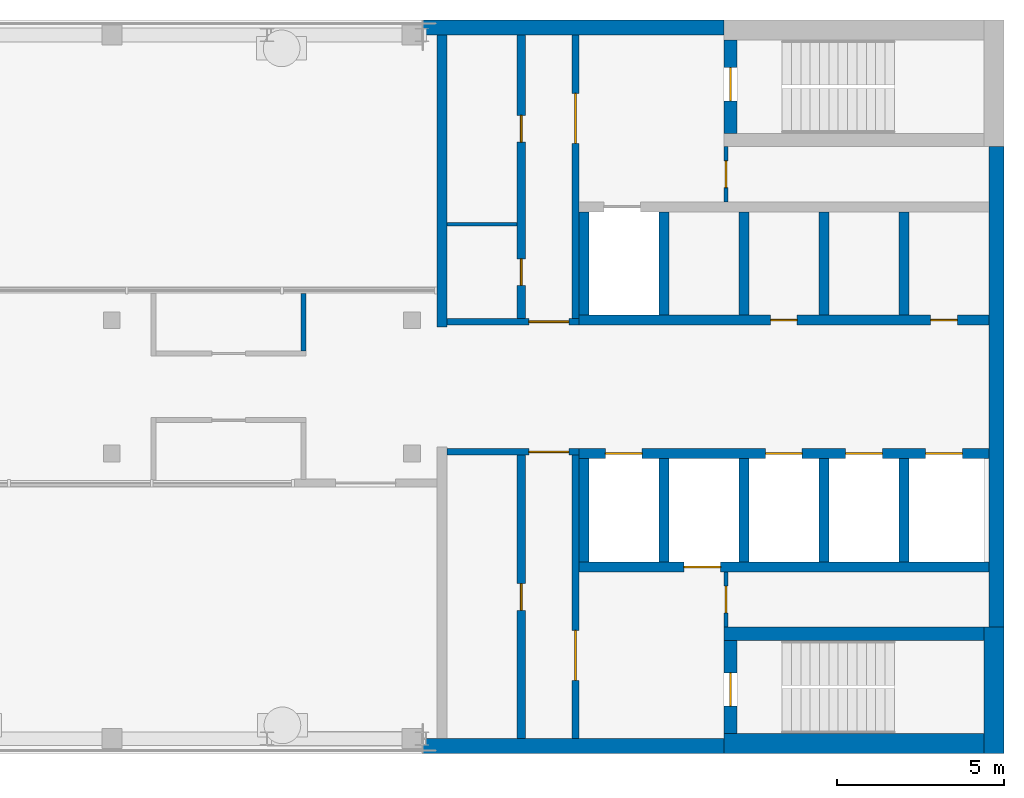
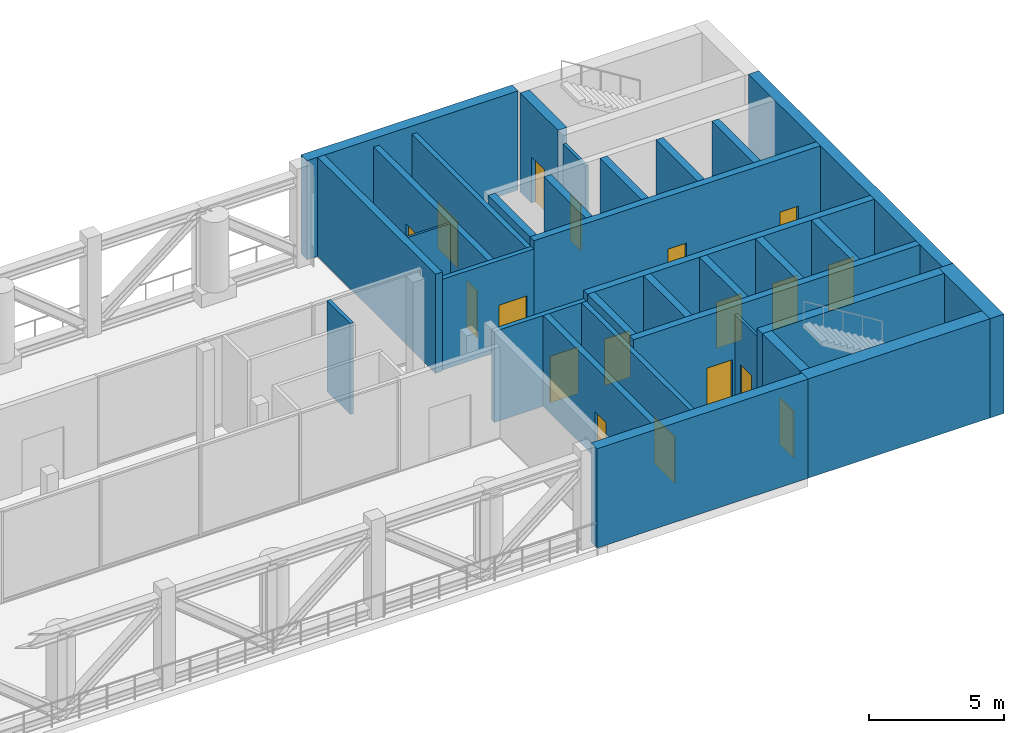
# One storey, part 5 of 9: 32 walls, 18 doors, 18 openings.
"""IFC4 building model written with IfcOpenShell, lengths in metres."""

from ifc_helpers import new_model, si_unit, direction, frame, frame_2d, origin, place, context, subcontext, project, spatial, rectangle, extrude, material, layer, layer_set, type_object, element, fill, save


model = new_model("IFC4")

# Units and contexts
model_context = context("Model", 3, precision=1e-05, world=origin(), true_north=direction((0.0, 1.0)))
body_context = subcontext(model_context, "Body", "Model", "MODEL_VIEW")
ifc_project = project(units=[si_unit("LENGTHUNIT", "METRE"), si_unit("AREAUNIT", "SQUARE_METRE"), si_unit("VOLUMEUNIT", "CUBIC_METRE"), si_unit("PLANEANGLEUNIT", "RADIAN"), si_unit("MASSUNIT", "GRAM", prefix="KILO")], contexts=[model_context])

# Site, building, storey
site_placement = place(None, origin())
site = spatial("IfcSite", under=ifc_project, at=site_placement, CompositionType="ELEMENT")
building_placement = place(site_placement, origin())
building = spatial("IfcBuilding", under=site, at=building_placement, Name="Skarvind Civic Tower", CompositionType="ELEMENT")
storey_placement = place(building_placement, frame((0.0, 0.0, 277.5)))
storey = spatial("IfcBuildingStorey", under=building, at=storey_placement, Name="L66", CompositionType="ELEMENT", Elevation=277.5)

# Wall, opening, door
ifc_material_1 = material(Name="Fire-rated masonry partition", Category="masonry")
ifc_layer_1 = layer(ifc_material_1, 0.199951171875)
ifc_layer_set_1 = layer_set([ifc_layer_1], Name="Core enclosure wall 200")
wall_type_1 = type_object("IfcWallType", Name="Core enclosure wall 200", PredefinedType="PARTITIONING", material=ifc_layer_set_1)
wall_1_placement = place(storey_placement, frame((95.25, 126.050048828125, 0.0), z_axis=(0.0, 0.0, 1.0), x_axis=(-1.0, 0.0, 0.0)))
wall_1 = element("IfcWall", 1, at=wall_1_placement, inside=storey, type_object=wall_type_1, Name="Core wall C1", PredefinedType="PARTITIONING", context=body_context, shape_type="SweptSolid", body=[
    extrude(rectangle(XDim=3.949951171875, YDim=0.199951171875, at=frame_2d((1.97509765625, 0.0))), origin(), (0.0, 0.0, 1.0), 4.125),
])
opening_1_placement = place(wall_1_placement, frame((0.300048828125, 0.0, 0.0)))
opening_1 = element("IfcOpeningElement", 2, at=opening_1_placement, cuts=wall_1, Name="Opening D-L66-C1-07", PredefinedType="OPENING", context=body_context, shape_type="SweptSolid", body=[
    extrude(rectangle(XDim=1.199951171875, YDim=2.10009765625, at=frame_2d((0.60009765625, 1.050048828125))), frame((0.0, 0.10986328125, 0.0), z_axis=(0.0, -1.0, 0.0), x_axis=(1.0, 0.0, 0.0)), (0.0, 0.0, 1.0), 0.219970703125),
])
ifc_material_2 = material(Name="Fire-rated steel door", Category="steel")
door_type_1 = type_object("IfcDoorType", Name="Core lobby door 1200", OperationType="NOTDEFINED", PredefinedType="DOOR", material=ifc_material_2)
door_1_placement = place(opening_1_placement, origin())
door_1 = element("IfcDoor", 3, at=door_1_placement, inside=storey, type_object=door_type_1, Name="Fire door", OperationType="DOUBLE_DOOR_SINGLE_SWING", OverallHeight=2.10009765625, OverallWidth=1.199951171875, PredefinedType="DOOR", context=body_context, shape_type="SweptSolid", body=[
    extrude(rectangle(XDim=1.199951171875, YDim=2.10009765625, at=frame_2d((0.60009765625, 1.050048828125))), frame((0.0, 0.02490234375, 0.0), z_axis=(0.0, -1.0, 0.0), x_axis=(1.0, 0.0, 0.0)), (0.0, 0.0, 1.0), 0.050048828125),
])
fill(opening_1, door_1)

wall_2_placement = place(storey_placement, frame((95.14990234375, 117.449951171875, 0.0), z_axis=(0.0, 0.0, 1.0), x_axis=(0.0, 1.0, 0.0)))
wall_2 = element("IfcWall", 4, at=wall_2_placement, inside=storey, type_object=wall_type_1, Name="Core wall C1", PredefinedType="PARTITIONING", context=body_context, shape_type="SweptSolid", body=[
    extrude(rectangle(XDim=8.5, YDim=0.199951171875, at=frame_2d((4.25, 0.0))), origin(), (0.0, 0.0, 1.0), 4.125),
])
opening_2_placement = place(wall_2_placement, frame((1.75, 0.0, 0.0)))
opening_2 = element("IfcOpeningElement", 5, at=opening_2_placement, cuts=wall_2, Name="Opening D-L66-C1-08", PredefinedType="OPENING", context=body_context, shape_type="SweptSolid", body=[
    extrude(rectangle(XDim=1.5, YDim=2.10009765625, at=frame_2d((0.75, 1.050048828125))), frame((0.0, 0.10986328125, 0.0), z_axis=(0.0, -1.0, 0.0), x_axis=(1.0, 0.0, 0.0)), (0.0, 0.0, 1.0), 0.219970703125),
])
door_type_2 = type_object("IfcDoorType", Name="Fire door 1500", OperationType="NOTDEFINED", PredefinedType="DOOR", material=ifc_material_2)
door_2_placement = place(opening_2_placement, origin())
door_2 = element("IfcDoor", 6, at=door_2_placement, inside=storey, type_object=door_type_2, Name="Fire door", OperationType="DOUBLE_DOOR_SINGLE_SWING", OverallHeight=2.10009765625, OverallWidth=1.5, PredefinedType="DOOR", context=body_context, shape_type="SweptSolid", body=[
    extrude(rectangle(XDim=1.5, YDim=2.10009765625, at=frame_2d((0.75, 1.050048828125))), frame((0.0, 0.02490234375, 0.0), z_axis=(0.0, -1.0, 0.0), x_axis=(1.0, 0.0, 0.0)), (0.0, 0.0, 1.0), 0.050048828125),
])
fill(opening_2, door_2)

wall_3_placement = place(storey_placement, frame((91.300048828125, 129.949951171875, 0.0), z_axis=(0.0, 0.0, 1.0), x_axis=(1.0, 0.0, 0.0)))
wall_3 = element("IfcWall", 7, at=wall_3_placement, inside=storey, type_object=wall_type_1, Name="Core wall C1", PredefinedType="PARTITIONING", context=body_context, shape_type="SweptSolid", body=[
    extrude(rectangle(XDim=3.949951171875, YDim=0.199951171875, at=frame_2d((1.97509765625, 0.0))), origin(), (0.0, 0.0, 1.0), 4.125),
])
opening_3_placement = place(wall_3_placement, frame((2.449951171875, 0.0, 0.0)))
opening_3 = element("IfcOpeningElement", 8, at=opening_3_placement, cuts=wall_3, Name="Opening D-L66-C1-12", PredefinedType="OPENING", context=body_context, shape_type="SweptSolid", body=[
    extrude(rectangle(XDim=1.199951171875, YDim=2.10009765625, at=frame_2d((0.60009765625, 1.050048828125))), frame((0.0, 0.10986328125, 0.0), z_axis=(0.0, -1.0, 0.0), x_axis=(1.0, 0.0, 0.0)), (0.0, 0.0, 1.0), 0.219970703125),
])
door_3_placement = place(opening_3_placement, origin())
door_3 = element("IfcDoor", 9, at=door_3_placement, inside=storey, type_object=door_type_1, Name="Fire door", OperationType="DOUBLE_DOOR_SINGLE_SWING", OverallHeight=2.10009765625, OverallWidth=1.199951171875, PredefinedType="DOOR", context=body_context, shape_type="SweptSolid", body=[
    extrude(rectangle(XDim=1.199951171875, YDim=2.10009765625, at=frame_2d((0.60009765625, 1.050048828125))), frame((0.0, 0.02490234375, 0.0), z_axis=(0.0, -1.0, 0.0), x_axis=(1.0, 0.0, 0.0)), (0.0, 0.0, 1.0), 0.050048828125),
])
fill(opening_3, door_3)

wall_4_placement = place(storey_placement, frame((95.14990234375, 130.050048828125, 0.0), z_axis=(0.0, 0.0, 1.0), x_axis=(0.0, 1.0, 0.0)))
wall_4 = element("IfcWall", 10, at=wall_4_placement, inside=storey, type_object=wall_type_1, Name="Core wall C1", PredefinedType="PARTITIONING", context=body_context, shape_type="SweptSolid", body=[
    extrude(rectangle(XDim=8.5, YDim=0.199951171875, at=frame_2d((4.25, 0.0))), origin(), (0.0, 0.0, 1.0), 4.125),
])
opening_4_placement = place(wall_4_placement, frame((5.25, 0.0, 0.0)))
opening_4 = element("IfcOpeningElement", 11, at=opening_4_placement, cuts=wall_4, Name="Opening D-L66-C1-13", PredefinedType="OPENING", context=body_context, shape_type="SweptSolid", body=[
    extrude(rectangle(XDim=1.5, YDim=2.10009765625, at=frame_2d((0.75, 1.050048828125))), frame((0.0, 0.10986328125, 0.0), z_axis=(0.0, -1.0, 0.0), x_axis=(1.0, 0.0, 0.0)), (0.0, 0.0, 1.0), 0.219970703125),
])
door_4_placement = place(opening_4_placement, origin())
door_4 = element("IfcDoor", 12, at=door_4_placement, inside=storey, type_object=door_type_2, Name="Fire door", OperationType="DOUBLE_DOOR_SINGLE_SWING", OverallHeight=2.10009765625, OverallWidth=1.5, PredefinedType="DOOR", context=body_context, shape_type="SweptSolid", body=[
    extrude(rectangle(XDim=1.5, YDim=2.10009765625, at=frame_2d((0.75, 1.050048828125))), frame((0.0, 0.02490234375, 0.0), z_axis=(0.0, -1.0, 0.0), x_axis=(1.0, 0.0, 0.0)), (0.0, 0.0, 1.0), 0.050048828125),
])
fill(opening_4, door_4)

# Wall
ifc_material_3 = material(Name="Fire-rated plasterboard partition")
ifc_layer_2 = layer(ifc_material_3, 0.10009765625)
ifc_layer_set_2 = layer_set([ifc_layer_2], Name="Core partition wall 100")
wall_type_2 = type_object("IfcWallType", Name="Core partition wall 100", PredefinedType="PARTITIONING", material=ifc_layer_set_2)
wall_5_placement = place(storey_placement, frame((91.300048828125, 132.8798828125, 0.0), z_axis=(0.0, 0.0, 1.0), x_axis=(1.0, 0.0, 0.0)))
element("IfcWall", 13, at=wall_5_placement, inside=storey, type_object=wall_type_2, Name="Core wall C1", PredefinedType="PARTITIONING", context=body_context, shape_type="SweptSolid", body=[
    extrude(rectangle(XDim=2.099853515625, YDim=0.10009765625, at=frame_2d((1.0498046875, 0.0))), origin(), (0.0, 0.0, 1.0), 4.125),
])

# Wall, openings, doors
ifc_material_4 = material(Name="Concrete C60", Category="concrete")
ifc_layer_3 = layer(ifc_material_4, 0.300048828125)
ifc_layer_set_3 = layer_set([ifc_layer_3], Name="Core wall 300 C60")
wall_type_3 = type_object("IfcWallType", Name="Core wall 300 C60", PredefinedType="SHEAR", material=ifc_layer_set_3)
wall_6_placement = place(storey_placement, frame((107.550048828125, 130.0, 0.0), z_axis=(0.0, 0.0, 1.0), x_axis=(-1.0, 0.0, 0.0)))
wall_6 = element("IfcWall", 14, at=wall_6_placement, inside=storey, type_object=wall_type_3, Name="Core wall C1 south lift row front L66", PredefinedType="SHEAR", context=body_context, shape_type="SweptSolid", body=[
    extrude(rectangle(XDim=12.300048828125, YDim=0.300048828125, at=frame_2d((6.14990234375, 0.0))), origin(), (0.0, 0.0, 1.0), 4.5),
])
opening_5_placement = place(wall_6_placement, frame((0.949951171875, 0.0, 0.0)))
opening_5 = element("IfcOpeningElement", 15, at=opening_5_placement, cuts=wall_6, Name="Opening D-L66-C1-05", PredefinedType="OPENING", context=body_context, shape_type="SweptSolid", body=[
    extrude(rectangle(XDim=0.800048828125, YDim=2.10009765625, at=frame_2d((0.39990234375, 1.050048828125))), frame((0.0, 0.159912109375, 0.0), z_axis=(0.0, -1.0, 0.0), x_axis=(1.0, 0.0, 0.0)), (0.0, 0.0, 1.0), 0.320068359375),
])
opening_6_placement = place(wall_6_placement, frame((5.75, 0.0, 0.0)))
opening_6 = element("IfcOpeningElement", 16, at=opening_6_placement, cuts=wall_6, Name="Opening D-L66-C1-06", PredefinedType="OPENING", context=body_context, shape_type="SweptSolid", body=[
    extrude(rectangle(XDim=0.800048828125, YDim=2.10009765625, at=frame_2d((0.39990234375, 1.050048828125))), frame((0.0, 0.159912109375, 0.0), z_axis=(0.0, -1.0, 0.0), x_axis=(1.0, 0.0, 0.0)), (0.0, 0.0, 1.0), 0.320068359375),
])
door_type_3 = type_object("IfcDoorType", Name="Core riser door 800", OperationType="NOTDEFINED", PredefinedType="DOOR", material=ifc_material_2)
door_5_placement = place(opening_5_placement, origin())
door_5 = element("IfcDoor", 17, at=door_5_placement, inside=storey, type_object=door_type_3, Name="Riser door", OperationType="SINGLE_SWING_LEFT", OverallHeight=2.10009765625, OverallWidth=0.800048828125, PredefinedType="DOOR", context=body_context, shape_type="SweptSolid", body=[
    extrude(rectangle(XDim=0.800048828125, YDim=2.10009765625, at=frame_2d((0.39990234375, 1.050048828125))), frame((0.0, 0.02490234375, 0.0), z_axis=(0.0, -1.0, 0.0), x_axis=(1.0, 0.0, 0.0)), (0.0, 0.0, 1.0), 0.050048828125),
])
fill(opening_5, door_5)
door_6_placement = place(opening_6_placement, origin())
door_6 = element("IfcDoor", 18, at=door_6_placement, inside=storey, type_object=door_type_3, Name="Riser door", OperationType="SINGLE_SWING_RIGHT", OverallHeight=2.10009765625, OverallWidth=0.800048828125, PredefinedType="DOOR", context=body_context, shape_type="SweptSolid", body=[
    extrude(rectangle(XDim=0.800048828125, YDim=2.10009765625, at=frame_2d((0.39990234375, 1.050048828125))), frame((0.0, 0.02490234375, 0.0), z_axis=(0.0, -1.0, 0.0), x_axis=(1.0, 0.0, 0.0)), (0.0, 0.0, 1.0), 0.050048828125),
])
fill(opening_6, door_6)

# Walls
for number, where, z_axis, x_axis, name in (
    (19, (105.0, 133.25, 0.0), (0.0, 0.0, 1.0), (0.0, -1.0, 0.0), "Core wall C1 south lift row division 1 L66"),
    (20, (102.60009765625, 133.25, 0.0), (0.0, 0.0, 1.0), (0.0, -1.0, 0.0), "Core wall C1 south lift row division 2 L66"),
    (21, (100.199951171875, 133.25, 0.0), (0.0, 0.0, 1.0), (0.0, -1.0, 0.0), "Core wall C1 south lift row division 3 L66"),
    (22, (97.800048828125, 133.25, 0.0), (0.0, 0.0, 1.0), (0.0, -1.0, 0.0), "Core wall C1 south lift row division 4 L66"),
    (23, (95.39990234375, 133.25, 0.0), (0.0, 0.0, 1.0), (0.0, -1.0, 0.0), "Core wall C1 south lift row division 5 L66"),
):
    element("IfcWall", number, at=place(storey_placement, frame(where, z_axis=z_axis, x_axis=x_axis)), inside=storey, type_object=wall_type_3, Name=name, PredefinedType="SHEAR", context=body_context, shape_type="SweptSolid", body=[
        extrude(rectangle(XDim=3.10009765625, YDim=0.300048828125, at=frame_2d((1.550048828125, 0.0))), origin(), (0.0, 0.0, 1.0), 4.5),
    ])

# Wall, openings, doors
wall_7_placement = place(storey_placement, frame((107.550048828125, 126.0, 0.0), z_axis=(0.0, 0.0, 1.0), x_axis=(-1.0, 0.0, 0.0)))
wall_7 = element("IfcWall", 24, at=wall_7_placement, inside=storey, type_object=wall_type_3, Name="Core wall C1 north lift row front L66", PredefinedType="SHEAR", context=body_context, shape_type="SweptSolid", body=[
    extrude(rectangle(XDim=12.300048828125, YDim=0.300048828125, at=frame_2d((6.14990234375, 0.0))), origin(), (0.0, 0.0, 1.0), 4.5),
])
opening_7_placement = place(wall_7_placement, frame((0.800048828125, 0.0, 0.0)))
opening_7 = element("IfcOpeningElement", 25, at=opening_7_placement, cuts=wall_7, Name="Opening LD68101", PredefinedType="OPENING", context=body_context, shape_type="SweptSolid", body=[
    extrude(rectangle(XDim=1.10009765625, YDim=2.10009765625, at=frame_2d((0.550048828125, 1.050048828125))), frame((0.0, 0.159912109375, 0.0), z_axis=(0.0, -1.0, 0.0), x_axis=(1.0, 0.0, 0.0)), (0.0, 0.0, 1.0), 0.320068359375),
])
opening_8_placement = place(wall_7_placement, frame((3.199951171875, 0.0, 0.0)))
opening_8 = element("IfcOpeningElement", 26, at=opening_8_placement, cuts=wall_7, Name="Opening LD68102", PredefinedType="OPENING", context=body_context, shape_type="SweptSolid", body=[
    extrude(rectangle(XDim=1.10009765625, YDim=2.10009765625, at=frame_2d((0.550048828125, 1.050048828125))), frame((0.0, 0.159912109375, 0.0), z_axis=(0.0, -1.0, 0.0), x_axis=(1.0, 0.0, 0.0)), (0.0, 0.0, 1.0), 0.320068359375),
])
opening_9_placement = place(wall_7_placement, frame((5.60009765625, 0.0, 0.0)))
opening_9 = element("IfcOpeningElement", 27, at=opening_9_placement, cuts=wall_7, Name="Opening LD68103", PredefinedType="OPENING", context=body_context, shape_type="SweptSolid", body=[
    extrude(rectangle(XDim=1.10009765625, YDim=2.10009765625, at=frame_2d((0.550048828125, 1.050048828125))), frame((0.0, 0.159912109375, 0.0), z_axis=(0.0, -1.0, 0.0), x_axis=(1.0, 0.0, 0.0)), (0.0, 0.0, 1.0), 0.320068359375),
])
opening_10_placement = place(wall_7_placement, frame((10.39990234375, 0.0, 0.0)))
opening_10 = element("IfcOpeningElement", 28, at=opening_10_placement, cuts=wall_7, Name="Opening LD68105", PredefinedType="OPENING", context=body_context, shape_type="SweptSolid", body=[
    extrude(rectangle(XDim=1.10009765625, YDim=2.10009765625, at=frame_2d((0.550048828125, 1.050048828125))), frame((0.0, 0.159912109375, 0.0), z_axis=(0.0, -1.0, 0.0), x_axis=(1.0, 0.0, 0.0)), (0.0, 0.0, 1.0), 0.320068359375),
])
ifc_material_5 = material(Name="Stainless steel landing door", Category="steel")
door_type_4 = type_object("IfcDoorType", Name="Lift landing door 1100", OperationType="DOUBLE_DOOR_SLIDING", PredefinedType="DOOR", material=ifc_material_5)
door_7_placement = place(opening_7_placement, origin())
door_7 = element("IfcDoor", 29, at=door_7_placement, inside=storey, type_object=door_type_4, Name="Lift landing door", OperationType="DOUBLE_DOOR_SLIDING", OverallHeight=2.10009765625, OverallWidth=1.10009765625, PredefinedType="DOOR", context=body_context, shape_type="SweptSolid", body=[
    extrude(rectangle(XDim=1.10009765625, YDim=2.10009765625, at=frame_2d((0.550048828125, 1.050048828125))), frame((0.0, 0.02490234375, 0.0), z_axis=(0.0, -1.0, 0.0), x_axis=(1.0, 0.0, 0.0)), (0.0, 0.0, 1.0), 0.050048828125),
])
fill(opening_7, door_7)
door_8_placement = place(opening_8_placement, origin())
door_8 = element("IfcDoor", 30, at=door_8_placement, inside=storey, type_object=door_type_4, Name="Lift landing door", OperationType="DOUBLE_DOOR_SLIDING", OverallHeight=2.10009765625, OverallWidth=1.10009765625, PredefinedType="DOOR", context=body_context, shape_type="SweptSolid", body=[
    extrude(rectangle(XDim=1.10009765625, YDim=2.10009765625, at=frame_2d((0.550048828125, 1.050048828125))), frame((0.0, 0.02490234375, 0.0), z_axis=(0.0, -1.0, 0.0), x_axis=(1.0, 0.0, 0.0)), (0.0, 0.0, 1.0), 0.050048828125),
])
fill(opening_8, door_8)
door_9_placement = place(opening_9_placement, origin())
door_9 = element("IfcDoor", 31, at=door_9_placement, inside=storey, type_object=door_type_4, Name="Lift landing door", OperationType="DOUBLE_DOOR_SLIDING", OverallHeight=2.10009765625, OverallWidth=1.10009765625, PredefinedType="DOOR", context=body_context, shape_type="SweptSolid", body=[
    extrude(rectangle(XDim=1.10009765625, YDim=2.10009765625, at=frame_2d((0.550048828125, 1.050048828125))), frame((0.0, 0.02490234375, 0.0), z_axis=(0.0, -1.0, 0.0), x_axis=(1.0, 0.0, 0.0)), (0.0, 0.0, 1.0), 0.050048828125),
])
fill(opening_9, door_9)
door_10_placement = place(opening_10_placement, origin())
door_10 = element("IfcDoor", 32, at=door_10_placement, inside=storey, type_object=door_type_4, Name="Lift landing door", OperationType="DOUBLE_DOOR_SLIDING", OverallHeight=2.10009765625, OverallWidth=1.10009765625, PredefinedType="DOOR", context=body_context, shape_type="SweptSolid", body=[
    extrude(rectangle(XDim=1.10009765625, YDim=2.10009765625, at=frame_2d((0.550048828125, 1.050048828125))), frame((0.0, 0.02490234375, 0.0), z_axis=(0.0, -1.0, 0.0), x_axis=(1.0, 0.0, 0.0)), (0.0, 0.0, 1.0), 0.050048828125),
])
fill(opening_10, door_10)

# Wall, opening, door
wall_8_placement = place(storey_placement, frame((107.550048828125, 122.60009765625, 0.0), z_axis=(0.0, 0.0, 1.0), x_axis=(-1.0, 0.0, 0.0)))
wall_8 = element("IfcWall", 33, at=wall_8_placement, inside=storey, type_object=wall_type_3, Name="Core wall C1 north lift row back L66", PredefinedType="SHEAR", context=body_context, shape_type="SweptSolid", body=[
    extrude(rectangle(XDim=12.300048828125, YDim=0.300048828125, at=frame_2d((6.14990234375, 0.0))), origin(), (0.0, 0.0, 1.0), 4.5),
])
opening_11_placement = place(wall_8_placement, frame((8.050048828125, 0.0, 0.0)))
opening_11 = element("IfcOpeningElement", 34, at=opening_11_placement, cuts=wall_8, Name="Opening LD68104", PredefinedType="OPENING", context=body_context, shape_type="SweptSolid", body=[
    extrude(rectangle(XDim=1.10009765625, YDim=2.10009765625, at=frame_2d((0.550048828125, 1.050048828125))), frame((0.0, 0.159912109375, 0.0), z_axis=(0.0, -1.0, 0.0), x_axis=(1.0, 0.0, 0.0)), (0.0, 0.0, 1.0), 0.320068359375),
])
door_11_placement = place(opening_11_placement, origin())
door_11 = element("IfcDoor", 35, at=door_11_placement, inside=storey, type_object=door_type_4, Name="Lift landing door", OperationType="DOUBLE_DOOR_SLIDING", OverallHeight=2.10009765625, OverallWidth=1.10009765625, PredefinedType="DOOR", context=body_context, shape_type="SweptSolid", body=[
    extrude(rectangle(XDim=1.10009765625, YDim=2.10009765625, at=frame_2d((0.550048828125, 1.050048828125))), frame((0.0, 0.02490234375, 0.0), z_axis=(0.0, -1.0, 0.0), x_axis=(1.0, 0.0, 0.0)), (0.0, 0.0, 1.0), 0.050048828125),
])
fill(opening_11, door_11)

# Walls
for number, where, z_axis, x_axis, name in (
    (36, (105.0, 125.85009765625, 0.0), (0.0, 0.0, 1.0), (0.0, -1.0, 0.0), "Core wall C1 north lift row division 1 L66"),
    (37, (102.60009765625, 125.85009765625, 0.0), (0.0, 0.0, 1.0), (0.0, -1.0, 0.0), "Core wall C1 north lift row division 2 L66"),
    (38, (100.199951171875, 125.85009765625, 0.0), (0.0, 0.0, 1.0), (0.0, -1.0, 0.0), "Core wall C1 north lift row division 3 L66"),
    (39, (97.800048828125, 125.85009765625, 0.0), (0.0, 0.0, 1.0), (0.0, -1.0, 0.0), "Core wall C1 north lift row division 4 L66"),
    (40, (95.39990234375, 125.85009765625, 0.0), (0.0, 0.0, 1.0), (0.0, -1.0, 0.0), "Core wall C1 north lift row division 5 L66"),
):
    element("IfcWall", number, at=place(storey_placement, frame(where, z_axis=z_axis, x_axis=x_axis)), inside=storey, type_object=wall_type_3, Name=name, PredefinedType="SHEAR", context=body_context, shape_type="SweptSolid", body=[
        extrude(rectangle(XDim=3.10009765625, YDim=0.300048828125, at=frame_2d((1.550048828125, 0.0))), origin(), (0.0, 0.0, 1.0), 4.5),
    ])
wall_9_placement = place(storey_placement, frame((91.14990234375, 138.550048828125, 0.0), z_axis=(0.0, 0.0, 1.0), x_axis=(0.0, -1.0, 0.0)))
element("IfcWall", 41, at=wall_9_placement, inside=storey, type_object=wall_type_3, Name="Core wall C1 south inner face L66", PredefinedType="SHEAR", context=body_context, shape_type="SweptSolid", body=[
    extrude(rectangle(XDim=8.75, YDim=0.300048828125, at=frame_2d((4.375, 0.0))), origin(), (0.0, 0.0, 1.0), 4.5),
])

# Wall, opening, door
ifc_layer_4 = layer(ifc_material_4, 0.39990234375)
ifc_layer_set_4 = layer_set([ifc_layer_4], Name="Core wall 400 C60")
wall_type_4 = type_object("IfcWallType", Name="Core wall 400 C60", PredefinedType="SHEAR", material=ifc_layer_set_4)
wall_10_placement = place(storey_placement, frame((99.800048828125, 138.39990234375, 0.0), z_axis=(0.0, 0.0, 1.0), x_axis=(0.0, -1.0, 0.0)))
wall_10 = element("IfcWall", 42, at=wall_10_placement, inside=storey, type_object=wall_type_4, Name="Core wall C1 south stair end L66", PredefinedType="SHEAR", context=body_context, shape_type="SweptSolid", body=[
    extrude(rectangle(XDim=2.7998046875, YDim=0.39990234375, at=frame_2d((1.39990234375, 0.0))), origin(), (0.0, 0.0, 1.0), 4.5),
])
opening_12_placement = place(wall_10_placement, frame((0.824951171875, 0.0, 0.0)))
opening_12 = element("IfcOpeningElement", 43, at=opening_12_placement, cuts=wall_10, Name="Opening D-L66-C1-14", PredefinedType="OPENING", context=body_context, shape_type="SweptSolid", body=[
    extrude(rectangle(XDim=1.0, YDim=2.10009765625, at=frame_2d((0.5, 1.050048828125))), frame((0.0, 0.2099609375, 0.0), z_axis=(0.0, -1.0, 0.0), x_axis=(1.0, 0.0, 0.0)), (0.0, 0.0, 1.0), 0.419921875),
])
door_type_5 = type_object("IfcDoorType", Name="Fire door 1000", OperationType="NOTDEFINED", PredefinedType="DOOR", material=ifc_material_2)
door_12_placement = place(opening_12_placement, origin())
door_12 = element("IfcDoor", 44, at=door_12_placement, inside=storey, type_object=door_type_5, Name="Fire door", OperationType="SINGLE_SWING_RIGHT", OverallHeight=2.10009765625, OverallWidth=1.0, PredefinedType="DOOR", context=body_context, shape_type="SweptSolid", body=[
    extrude(rectangle(XDim=1.0, YDim=2.10009765625, at=frame_2d((0.5, 1.050048828125))), frame((0.0, 0.02490234375, 0.0), z_axis=(0.0, -1.0, 0.0), x_axis=(1.0, 0.0, 0.0)), (0.0, 0.0, 1.0), 0.050048828125),
])
fill(opening_12, door_12)

# Wall
wall_11_placement = place(storey_placement, frame((107.39990234375, 120.60009765625, 0.0), z_axis=(0.0, 0.0, 1.0), x_axis=(-1.0, 0.0, 0.0)))
element("IfcWall", 45, at=wall_11_placement, inside=storey, type_object=wall_type_4, Name="Core wall C1 north stair inner L66", PredefinedType="SHEAR", context=body_context, shape_type="SweptSolid", body=[
    extrude(rectangle(XDim=7.7998046875, YDim=0.39990234375, at=frame_2d((3.89990234375, 0.0))), origin(), (0.0, 0.0, 1.0), 4.5),
])

# Wall, opening, door
wall_12_placement = place(storey_placement, frame((99.800048828125, 120.39990234375, 0.0), z_axis=(0.0, 0.0, 1.0), x_axis=(0.0, -1.0, 0.0)))
wall_12 = element("IfcWall", 46, at=wall_12_placement, inside=storey, type_object=wall_type_4, Name="Core wall C1 north stair end L66", PredefinedType="SHEAR", context=body_context, shape_type="SweptSolid", body=[
    extrude(rectangle(XDim=2.7998046875, YDim=0.39990234375, at=frame_2d((1.39990234375, 0.0))), origin(), (0.0, 0.0, 1.0), 4.5),
])
opening_13_placement = place(wall_12_placement, frame((0.97509765625, 0.0, 0.0)))
opening_13 = element("IfcOpeningElement", 47, at=opening_13_placement, cuts=wall_12, Name="Opening D-L66-C1-09", PredefinedType="OPENING", context=body_context, shape_type="SweptSolid", body=[
    extrude(rectangle(XDim=1.0, YDim=2.10009765625, at=frame_2d((0.5, 1.050048828125))), frame((0.0, 0.2099609375, 0.0), z_axis=(0.0, -1.0, 0.0), x_axis=(1.0, 0.0, 0.0)), (0.0, 0.0, 1.0), 0.419921875),
])
door_13_placement = place(opening_13_placement, origin())
door_13 = element("IfcDoor", 48, at=door_13_placement, inside=storey, type_object=door_type_5, Name="Fire door", OperationType="SINGLE_SWING_LEFT", OverallHeight=2.10009765625, OverallWidth=1.0, PredefinedType="DOOR", context=body_context, shape_type="SweptSolid", body=[
    extrude(rectangle(XDim=1.0, YDim=2.10009765625, at=frame_2d((0.5, 1.050048828125))), frame((0.0, 0.02490234375, 0.0), z_axis=(0.0, -1.0, 0.0), x_axis=(1.0, 0.0, 0.0)), (0.0, 0.0, 1.0), 0.050048828125),
])
fill(opening_13, door_13)

# Walls
ifc_layer_5 = layer(ifc_material_4, 0.449951171875)
ifc_layer_set_5 = layer_set([ifc_layer_5], Name="Core wall 450 C60")
wall_type_5 = type_object("IfcWallType", Name="Core wall 450 C60", PredefinedType="SHEAR", material=ifc_layer_set_5)
wall_13_placement = place(storey_placement, frame((107.77490234375, 135.199951171875, 0.0), z_axis=(0.0, 0.0, 1.0), x_axis=(0.0, -1.0, 0.0)))
element("IfcWall", 49, at=wall_13_placement, inside=storey, type_object=wall_type_5, Name="Core wall C1 tip between the stairs L66", PredefinedType="SHEAR", context=body_context, shape_type="SweptSolid", body=[
    extrude(rectangle(XDim=14.39990234375, YDim=0.449951171875, at=frame_2d((7.199951171875, 0.0))), origin(), (0.0, 0.0, 1.0), 4.5),
])
for number, where, z_axis, x_axis, name in (
    (50, (99.60009765625, 138.77490234375, 0.0), (0.0, 0.0, 1.0), (-1.0, 0.0, 0.0), "Core wall C1 south side L66"),
    (51, (99.60009765625, 117.22509765625, 0.0), (0.0, 0.0, 1.0), (-1.0, 0.0, 0.0), "Core wall C1 north side L66"),
):
    element("IfcWall", number, at=place(storey_placement, frame(where, z_axis=z_axis, x_axis=x_axis)), inside=storey, type_object=wall_type_5, Name=name, PredefinedType="SHEAR", context=body_context, shape_type="SweptSolid", body=[
        extrude(rectangle(XDim=9.050048828125, YDim=0.449951171875, at=frame_2d((4.52490234375, 0.0))), origin(), (0.0, 0.0, 1.0), 4.5),
    ])
ifc_layer_6 = layer(ifc_material_4, 0.60009765625)
ifc_layer_set_6 = layer_set([ifc_layer_6], Name="Core wall 600 C60")
wall_type_6 = type_object("IfcWallType", Name="Core wall 600 C60", PredefinedType="SHEAR", material=ifc_layer_set_6)
wall_14_placement = place(storey_placement, frame((107.699951171875, 120.800048828125, 0.0), z_axis=(0.0, 0.0, 1.0), x_axis=(0.0, -1.0, 0.0)))
element("IfcWall", 52, at=wall_14_placement, inside=storey, type_object=wall_type_6, Name="Core wall C1 tip at the north stair L66", PredefinedType="SHEAR", context=body_context, shape_type="SweptSolid", body=[
    extrude(rectangle(XDim=3.800048828125, YDim=0.60009765625, at=frame_2d((1.89990234375, 0.0))), origin(), (0.0, 0.0, 1.0), 4.5),
])
wall_15_placement = place(storey_placement, frame((107.39990234375, 117.300048828125, 0.0), z_axis=(0.0, 0.0, 1.0), x_axis=(-1.0, 0.0, 0.0)))
element("IfcWall", 53, at=wall_15_placement, inside=storey, type_object=wall_type_6, Name="Core wall C1 north side at the stair L66", PredefinedType="SHEAR", context=body_context, shape_type="SweptSolid", body=[
    extrude(rectangle(XDim=7.7998046875, YDim=0.60009765625, at=frame_2d((3.89990234375, 0.0))), origin(), (0.0, 0.0, 1.0), 4.5),
])
ifc_material_6 = material(Name="Plasterboard partition on steel studs", Category="steel")
ifc_layer_7 = layer(ifc_material_6, 0.14990234375)
ifc_layer_set_7 = layer_set([ifc_layer_7], Name="PARTITION 150")
wall_type_7 = type_object("IfcWallType", Name="PARTITION 150", PredefinedType="PARTITIONING", material=ifc_layer_set_7)
wall_16_placement = place(storey_placement, frame((87.0, 129.074951171875, 0.0), z_axis=(0.0, 0.0, 1.0), x_axis=(0.0, 1.0, 0.0)))
element("IfcWall", 54, at=wall_16_placement, inside=storey, type_object=wall_type_7, Name="Crown partition L66 009", PredefinedType="PARTITIONING", context=body_context, shape_type="SweptSolid", body=[
    extrude(rectangle(XDim=1.72509765625, YDim=0.14990234375, at=frame_2d((0.862548828125, 0.0))), origin(), (0.0, 0.0, 1.0), 4.125),
])

# Wall, opening, door
ifc_layer_8 = layer(ifc_material_1, 0.125)
ifc_layer_set_8 = layer_set([ifc_layer_8], Name="Riser wall 125")
wall_type_8 = type_object("IfcWallType", Name="Riser wall 125", PredefinedType="PARTITIONING", material=ifc_layer_set_8)
wall_17_placement = place(storey_placement, frame((99.66259765625, 120.800048828125, 0.0), z_axis=(0.0, 0.0, 1.0), x_axis=(0.0, 1.0, 0.0)))
wall_17 = element("IfcWall", 55, at=wall_17_placement, inside=storey, type_object=wall_type_8, Name="Core wall C1", PredefinedType="PARTITIONING", context=body_context, shape_type="SweptSolid", body=[
    extrude(rectangle(XDim=1.64990234375, YDim=0.125, at=frame_2d((0.824951171875, 0.0))), origin(), (0.0, 0.0, 1.0), 4.125),
])
opening_14_placement = place(wall_17_placement, frame((0.425048828125, 0.0, 0.0)))
opening_14 = element("IfcOpeningElement", 56, at=opening_14_placement, cuts=wall_17, Name="Opening D-L66-C1-10", PredefinedType="OPENING", context=body_context, shape_type="SweptSolid", body=[
    extrude(rectangle(XDim=0.800048828125, YDim=2.10009765625, at=frame_2d((0.39990234375, 1.050048828125))), frame((0.0, 0.072509765625, 0.0), z_axis=(0.0, -1.0, 0.0), x_axis=(1.0, 0.0, 0.0)), (0.0, 0.0, 1.0), 0.14501953125),
])
door_14_placement = place(opening_14_placement, origin())
door_14 = element("IfcDoor", 57, at=door_14_placement, inside=storey, type_object=door_type_3, Name="Riser door", OperationType="SINGLE_SWING_RIGHT", OverallHeight=2.10009765625, OverallWidth=0.800048828125, PredefinedType="DOOR", context=body_context, shape_type="SweptSolid", body=[
    extrude(rectangle(XDim=0.800048828125, YDim=2.10009765625, at=frame_2d((0.39990234375, 1.050048828125))), frame((0.0, 0.02490234375, 0.0), z_axis=(0.0, -1.0, 0.0), x_axis=(1.0, 0.0, 0.0)), (0.0, 0.0, 1.0), 0.050048828125),
])
fill(opening_14, door_14)

wall_18_placement = place(storey_placement, frame((99.66259765625, 133.550048828125, 0.0), z_axis=(0.0, 0.0, 1.0), x_axis=(0.0, 1.0, 0.0)))
wall_18 = element("IfcWall", 58, at=wall_18_placement, inside=storey, type_object=wall_type_8, Name="Core wall C1", PredefinedType="PARTITIONING", context=body_context, shape_type="SweptSolid", body=[
    extrude(rectangle(XDim=1.64990234375, YDim=0.125, at=frame_2d((0.824951171875, 0.0))), origin(), (0.0, 0.0, 1.0), 4.125),
])
opening_15_placement = place(wall_18_placement, frame((0.425048828125, 0.0, 0.0)))
opening_15 = element("IfcOpeningElement", 59, at=opening_15_placement, cuts=wall_18, Name="Opening D-L66-C1-15", PredefinedType="OPENING", context=body_context, shape_type="SweptSolid", body=[
    extrude(rectangle(XDim=0.800048828125, YDim=2.10009765625, at=frame_2d((0.39990234375, 1.050048828125))), frame((0.0, 0.072509765625, 0.0), z_axis=(0.0, -1.0, 0.0), x_axis=(1.0, 0.0, 0.0)), (0.0, 0.0, 1.0), 0.14501953125),
])
door_15_placement = place(opening_15_placement, origin())
door_15 = element("IfcDoor", 60, at=door_15_placement, inside=storey, type_object=door_type_3, Name="Riser door", OperationType="SINGLE_SWING_LEFT", OverallHeight=2.10009765625, OverallWidth=0.800048828125, PredefinedType="DOOR", context=body_context, shape_type="SweptSolid", body=[
    extrude(rectangle(XDim=0.800048828125, YDim=2.10009765625, at=frame_2d((0.39990234375, 1.050048828125))), frame((0.0, 0.02490234375, 0.0), z_axis=(0.0, -1.0, 0.0), x_axis=(1.0, 0.0, 0.0)), (0.0, 0.0, 1.0), 0.050048828125),
])
fill(opening_15, door_15)

ifc_layer_9 = layer(ifc_material_1, 0.25)
ifc_layer_set_9 = layer_set([ifc_layer_9], Name="Service block wall 250")
wall_type_9 = type_object("IfcWallType", Name="Service block wall 250", PredefinedType="PARTITIONING", material=ifc_layer_set_9)
wall_19_placement = place(storey_placement, frame((93.52490234375, 117.449951171875, 0.0), z_axis=(0.0, 0.0, 1.0), x_axis=(0.0, 1.0, 0.0)))
wall_19 = element("IfcWall", 61, at=wall_19_placement, inside=storey, type_object=wall_type_9, Name="Core wall C1", PredefinedType="PARTITIONING", context=body_context, shape_type="SweptSolid", body=[
    extrude(rectangle(XDim=8.5, YDim=0.25, at=frame_2d((4.25, 0.0))), origin(), (0.0, 0.0, 1.0), 4.125),
])
opening_16_placement = place(wall_19_placement, frame((3.85009765625, 0.0, 0.0)))
opening_16 = element("IfcOpeningElement", 62, at=opening_16_placement, cuts=wall_19, Name="Opening D-L66-C1-11", PredefinedType="OPENING", context=body_context, shape_type="SweptSolid", body=[
    extrude(rectangle(XDim=0.800048828125, YDim=2.10009765625, at=frame_2d((0.39990234375, 1.050048828125))), frame((0.0, 0.135009765625, 0.0), z_axis=(0.0, -1.0, 0.0), x_axis=(1.0, 0.0, 0.0)), (0.0, 0.0, 1.0), 0.27001953125),
])
door_16_placement = place(opening_16_placement, origin())
door_16 = element("IfcDoor", 63, at=door_16_placement, inside=storey, type_object=door_type_3, Name="Riser door", OperationType="SINGLE_SWING_LEFT", OverallHeight=2.10009765625, OverallWidth=0.800048828125, PredefinedType="DOOR", context=body_context, shape_type="SweptSolid", body=[
    extrude(rectangle(XDim=0.800048828125, YDim=2.10009765625, at=frame_2d((0.39990234375, 1.050048828125))), frame((0.0, 0.02490234375, 0.0), z_axis=(0.0, -1.0, 0.0), x_axis=(1.0, 0.0, 0.0)), (0.0, 0.0, 1.0), 0.050048828125),
])
fill(opening_16, door_16)

# Wall, openings, doors
wall_20_placement = place(storey_placement, frame((93.52490234375, 130.050048828125, 0.0), z_axis=(0.0, 0.0, 1.0), x_axis=(0.0, 1.0, 0.0)))
wall_20 = element("IfcWall", 64, at=wall_20_placement, inside=storey, type_object=wall_type_9, Name="Core wall C1", PredefinedType="PARTITIONING", context=body_context, shape_type="SweptSolid", body=[
    extrude(rectangle(XDim=8.5, YDim=0.25, at=frame_2d((4.25, 0.0))), origin(), (0.0, 0.0, 1.0), 4.125),
])
opening_17_placement = place(wall_20_placement, frame((0.989990234375, 0.0, 0.0)))
opening_17 = element("IfcOpeningElement", 65, at=opening_17_placement, cuts=wall_20, Name="Opening D-L66-C1-16", PredefinedType="OPENING", context=body_context, shape_type="SweptSolid", body=[
    extrude(rectangle(XDim=0.800048828125, YDim=2.10009765625, at=frame_2d((0.39990234375, 1.050048828125))), frame((0.0, 0.135009765625, 0.0), z_axis=(0.0, -1.0, 0.0), x_axis=(1.0, 0.0, 0.0)), (0.0, 0.0, 1.0), 0.27001953125),
])
opening_18_placement = place(wall_20_placement, frame((5.2900390625, 0.0, 0.0)))
opening_18 = element("IfcOpeningElement", 66, at=opening_18_placement, cuts=wall_20, Name="Opening D-L66-C1-17", PredefinedType="OPENING", context=body_context, shape_type="SweptSolid", body=[
    extrude(rectangle(XDim=0.800048828125, YDim=2.10009765625, at=frame_2d((0.39990234375, 1.050048828125))), frame((0.0, 0.135009765625, 0.0), z_axis=(0.0, -1.0, 0.0), x_axis=(1.0, 0.0, 0.0)), (0.0, 0.0, 1.0), 0.27001953125),
])
door_17_placement = place(opening_17_placement, origin())
door_17 = element("IfcDoor", 67, at=door_17_placement, inside=storey, type_object=door_type_3, Name="Riser door", OperationType="SINGLE_SWING_RIGHT", OverallHeight=2.10009765625, OverallWidth=0.800048828125, PredefinedType="DOOR", context=body_context, shape_type="SweptSolid", body=[
    extrude(rectangle(XDim=0.800048828125, YDim=2.10009765625, at=frame_2d((0.39990234375, 1.050048828125))), frame((0.0, 0.02490234375, 0.0), z_axis=(0.0, -1.0, 0.0), x_axis=(1.0, 0.0, 0.0)), (0.0, 0.0, 1.0), 0.050048828125),
])
fill(opening_17, door_17)
door_18_placement = place(opening_18_placement, origin())
door_18 = element("IfcDoor", 68, at=door_18_placement, inside=storey, type_object=door_type_3, Name="Riser door", OperationType="SINGLE_SWING_LEFT", OverallHeight=2.10009765625, OverallWidth=0.800048828125, PredefinedType="DOOR", context=body_context, shape_type="SweptSolid", body=[
    extrude(rectangle(XDim=0.800048828125, YDim=2.10009765625, at=frame_2d((0.39990234375, 1.050048828125))), frame((0.0, 0.02490234375, 0.0), z_axis=(0.0, -1.0, 0.0), x_axis=(1.0, 0.0, 0.0)), (0.0, 0.0, 1.0), 0.050048828125),
])
fill(opening_18, door_18)

save(model, "model.ifc")
